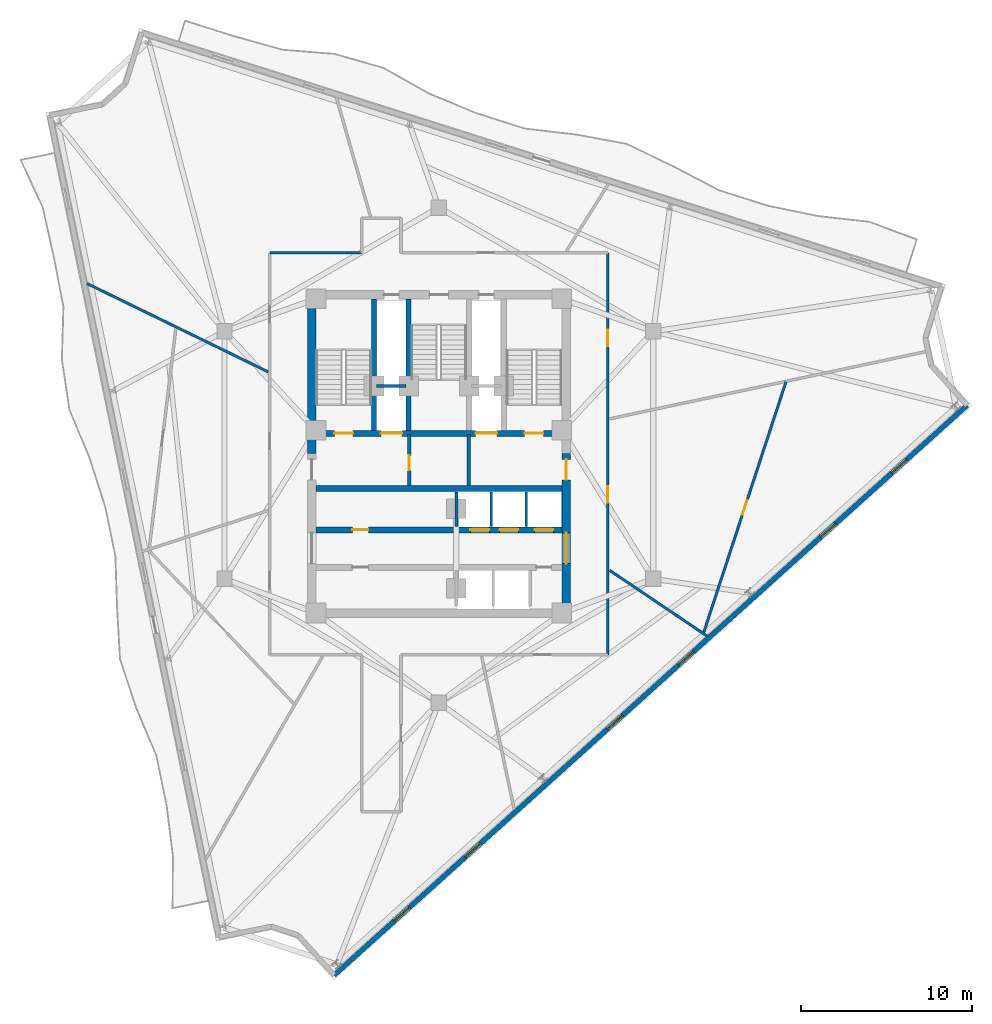
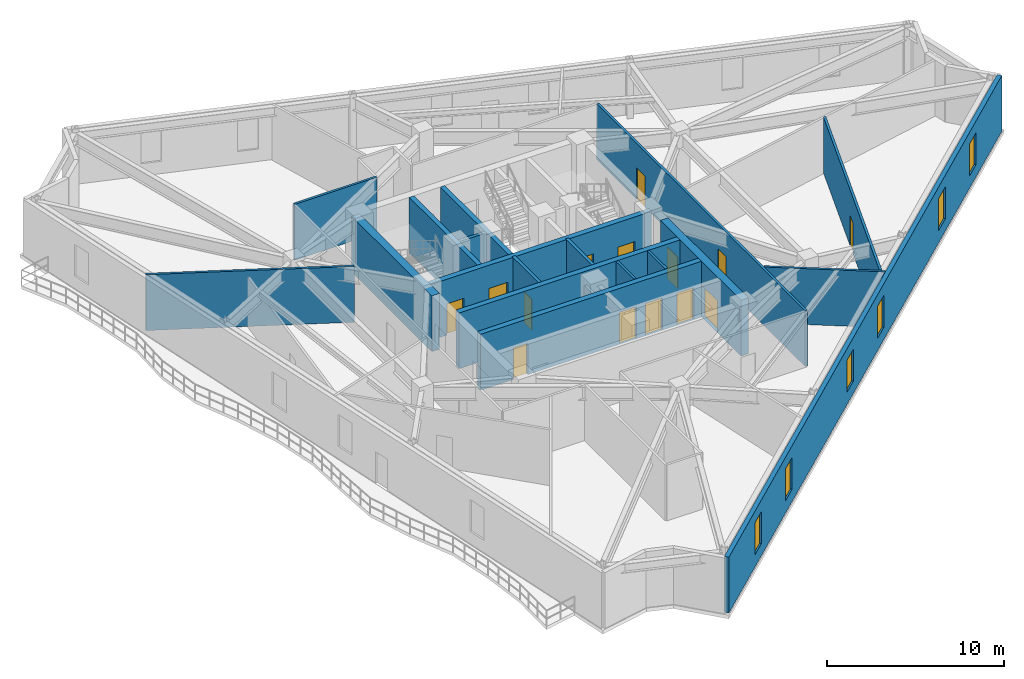
# One storey, part 6 of 11: 19 walls, 14 doors, 6 windows, 20 openings.
"""IFC4 building model written with IfcOpenShell, lengths in metres."""

from ifc_helpers import new_model, si_unit, direction, frame, frame_2d, origin, place, context, subcontext, project, spatial, rectangle, extrude, material, layer, layer_set, type_object, element, fill, save


model = new_model("IFC4")

# Units and contexts
model_context = context("Model", 3, precision=1e-05, world=origin(), true_north=direction((0.0, 1.0)))
body_context = subcontext(model_context, "Body", "Model", "MODEL_VIEW")
ifc_project = project(units=[si_unit("LENGTHUNIT", "METRE"), si_unit("AREAUNIT", "SQUARE_METRE"), si_unit("VOLUMEUNIT", "CUBIC_METRE"), si_unit("PLANEANGLEUNIT", "RADIAN"), si_unit("MASSUNIT", "GRAM", prefix="KILO")], contexts=[model_context])

# Site, building, storey
site_placement = place(None, origin())
site = spatial("IfcSite", under=ifc_project, at=site_placement, CompositionType="ELEMENT")
building_placement = place(site_placement, origin())
building = spatial("IfcBuilding", under=site, at=building_placement, Name="Apsidion Concourse Tower", CompositionType="ELEMENT")
storey_placement = place(building_placement, frame((0.0, 0.0, 252.699951171875)))
storey = spatial("IfcBuildingStorey", under=building, at=storey_placement, Name="L59", CompositionType="ELEMENT", Elevation=252.699951171875)

# Wall, openings, windows
ifc_material_1 = material(Name="Precast concrete C40/50", Category="concrete")
ifc_layer_1 = layer(ifc_material_1, 0.280029296875)
ifc_layer_set_1 = layer_set([ifc_layer_1], Name="Precast concrete C40/50")
wall_type_1 = type_object("IfcWallType", Name="WL-EXT-280", PredefinedType="STANDARD", material=ifc_layer_set_1)
wall_1_placement = place(storey_placement, frame((30.9345703125, 2.915771484375, 0.0), z_axis=(0.0, 0.0, 1.0), x_axis=(-0.743143233829, -0.66913237406, 0.0)))
wall_1 = element("IfcWall", 1, at=wall_1_placement, inside=storey, type_object=wall_type_1, Name="L59 Precast Stone Facade Wall 05", PredefinedType="STANDARD", context=body_context, shape_type="SweptSolid", body=[
    extrude(rectangle(XDim=49.8798828125, YDim=0.280029296875, at=frame_2d((24.93994140625, 0.0))), origin(), (0.0, 0.0, 1.0), 3.85009765625),
])
opening_1_placement = place(wall_1_placement, frame((4.739990234375, 0.0, 0.85009765625)))
opening_1 = element("IfcOpeningElement", 2, at=opening_1_placement, cuts=wall_1, Name="Opening WN-06", PredefinedType="OPENING", context=body_context, shape_type="SweptSolid", body=[
    extrude(rectangle(XDim=1.199951171875, YDim=2.199951171875, at=frame_2d((0.60009765625, 1.10009765625))), frame((0.0, 0.14990234375, 0.0), z_axis=(0.0, -1.0, 0.0), x_axis=(1.0, 0.0, 0.0)), (0.0, 0.0, 1.0), 0.300048828125),
])
opening_2_placement = place(wall_1_placement, frame((10.33984375, 0.0, 0.85009765625)))
opening_2 = element("IfcOpeningElement", 3, at=opening_2_placement, cuts=wall_1, Name="Opening WN-06", PredefinedType="OPENING", context=body_context, shape_type="SweptSolid", body=[
    extrude(rectangle(XDim=1.199951171875, YDim=2.199951171875, at=frame_2d((0.60009765625, 1.10009765625))), frame((0.0, 0.14990234375, 0.0), z_axis=(0.0, -1.0, 0.0), x_axis=(1.0, 0.0, 0.0)), (0.0, 0.0, 1.0), 0.300048828125),
])
opening_3_placement = place(wall_1_placement, frame((21.539794921875, 0.0, 0.85009765625)))
opening_3 = element("IfcOpeningElement", 4, at=opening_3_placement, cuts=wall_1, Name="Opening WN-06", PredefinedType="OPENING", context=body_context, shape_type="SweptSolid", body=[
    extrude(rectangle(XDim=1.199951171875, YDim=2.199951171875, at=frame_2d((0.60009765625, 1.10009765625))), frame((0.0, 0.14990234375, 0.0), z_axis=(0.0, -1.0, 0.0), x_axis=(1.0, 0.0, 0.0)), (0.0, 0.0, 1.0), 0.300048828125),
])
opening_4_placement = place(wall_1_placement, frame((27.139892578125, 0.0, 0.85009765625)))
opening_4 = element("IfcOpeningElement", 5, at=opening_4_placement, cuts=wall_1, Name="Opening WN-06", PredefinedType="OPENING", context=body_context, shape_type="SweptSolid", body=[
    extrude(rectangle(XDim=1.199951171875, YDim=2.199951171875, at=frame_2d((0.60009765625, 1.10009765625))), frame((0.0, 0.14990234375, 0.0), z_axis=(0.0, -1.0, 0.0), x_axis=(1.0, 0.0, 0.0)), (0.0, 0.0, 1.0), 0.300048828125),
])
opening_5_placement = place(wall_1_placement, frame((38.33984375, 0.0, 0.85009765625)))
opening_5 = element("IfcOpeningElement", 6, at=opening_5_placement, cuts=wall_1, Name="Opening WN-06", PredefinedType="OPENING", context=body_context, shape_type="SweptSolid", body=[
    extrude(rectangle(XDim=1.199951171875, YDim=2.199951171875, at=frame_2d((0.60009765625, 1.10009765625))), frame((0.0, 0.14990234375, 0.0), z_axis=(0.0, -1.0, 0.0), x_axis=(1.0, 0.0, 0.0)), (0.0, 0.0, 1.0), 0.300048828125),
])
opening_6_placement = place(wall_1_placement, frame((43.93994140625, 0.0, 0.85009765625)))
opening_6 = element("IfcOpeningElement", 7, at=opening_6_placement, cuts=wall_1, Name="Opening WN-06", PredefinedType="OPENING", context=body_context, shape_type="SweptSolid", body=[
    extrude(rectangle(XDim=1.199951171875, YDim=2.199951171875, at=frame_2d((0.60009765625, 1.10009765625))), frame((0.0, 0.14990234375, 0.0), z_axis=(0.0, -1.0, 0.0), x_axis=(1.0, 0.0, 0.0)), (0.0, 0.0, 1.0), 0.300048828125),
])
ifc_material_2 = material(Name="Insulated laminated low-E glass", Category="glass")
window_type = type_object("IfcWindowType", Name="WN-OFF-1224", PartitioningType="SINGLE_PANEL", PredefinedType="WINDOW", material=ifc_material_2)
window_1_placement = place(opening_1_placement, origin())
window_1 = element("IfcWindow", 8, at=window_1_placement, inside=storey, type_object=window_type, Name="L59 Punched Facade Window 5-01", OverallHeight=2.199951171875, OverallWidth=1.199951171875, PartitioningType="SINGLE_PANEL", PredefinedType="WINDOW", context=body_context, shape_type="SweptSolid", body=[
    extrude(rectangle(XDim=1.199951171875, YDim=2.199951171875, at=frame_2d((0.60009765625, 1.10009765625))), frame((0.0, 0.030029296875, 0.0), z_axis=(0.0, -1.0, 0.0), x_axis=(1.0, 0.0, 0.0)), (0.0, 0.0, 1.0), 0.06005859375),
])
fill(opening_1, window_1)
window_2_placement = place(opening_2_placement, origin())
window_2 = element("IfcWindow", 9, at=window_2_placement, inside=storey, type_object=window_type, Name="L59 Punched Facade Window 5-02", OverallHeight=2.199951171875, OverallWidth=1.199951171875, PartitioningType="SINGLE_PANEL", PredefinedType="WINDOW", context=body_context, shape_type="SweptSolid", body=[
    extrude(rectangle(XDim=1.199951171875, YDim=2.199951171875, at=frame_2d((0.60009765625, 1.10009765625))), frame((0.0, 0.030029296875, 0.0), z_axis=(0.0, -1.0, 0.0), x_axis=(1.0, 0.0, 0.0)), (0.0, 0.0, 1.0), 0.06005859375),
])
fill(opening_2, window_2)
window_3_placement = place(opening_3_placement, origin())
window_3 = element("IfcWindow", 10, at=window_3_placement, inside=storey, type_object=window_type, Name="L59 Punched Facade Window 5-04", OverallHeight=2.199951171875, OverallWidth=1.199951171875, PartitioningType="SINGLE_PANEL", PredefinedType="WINDOW", context=body_context, shape_type="SweptSolid", body=[
    extrude(rectangle(XDim=1.199951171875, YDim=2.199951171875, at=frame_2d((0.60009765625, 1.10009765625))), frame((0.0, 0.030029296875, 0.0), z_axis=(0.0, -1.0, 0.0), x_axis=(1.0, 0.0, 0.0)), (0.0, 0.0, 1.0), 0.06005859375),
])
fill(opening_3, window_3)
window_4_placement = place(opening_4_placement, origin())
window_4 = element("IfcWindow", 11, at=window_4_placement, inside=storey, type_object=window_type, Name="L59 Punched Facade Window 5-05", OverallHeight=2.199951171875, OverallWidth=1.199951171875, PartitioningType="SINGLE_PANEL", PredefinedType="WINDOW", context=body_context, shape_type="SweptSolid", body=[
    extrude(rectangle(XDim=1.199951171875, YDim=2.199951171875, at=frame_2d((0.60009765625, 1.10009765625))), frame((0.0, 0.030029296875, 0.0), z_axis=(0.0, -1.0, 0.0), x_axis=(1.0, 0.0, 0.0)), (0.0, 0.0, 1.0), 0.06005859375),
])
fill(opening_4, window_4)
window_5_placement = place(opening_5_placement, origin())
window_5 = element("IfcWindow", 12, at=window_5_placement, inside=storey, type_object=window_type, Name="L59 Punched Facade Window 5-07", OverallHeight=2.199951171875, OverallWidth=1.199951171875, PartitioningType="SINGLE_PANEL", PredefinedType="WINDOW", context=body_context, shape_type="SweptSolid", body=[
    extrude(rectangle(XDim=1.199951171875, YDim=2.199951171875, at=frame_2d((0.60009765625, 1.10009765625))), frame((0.0, 0.030029296875, 0.0), z_axis=(0.0, -1.0, 0.0), x_axis=(1.0, 0.0, 0.0)), (0.0, 0.0, 1.0), 0.06005859375),
])
fill(opening_5, window_5)
window_6_placement = place(opening_6_placement, origin())
window_6 = element("IfcWindow", 13, at=window_6_placement, inside=storey, type_object=window_type, Name="L59 Punched Facade Window 5-08", OverallHeight=2.199951171875, OverallWidth=1.199951171875, PartitioningType="SINGLE_PANEL", PredefinedType="WINDOW", context=body_context, shape_type="SweptSolid", body=[
    extrude(rectangle(XDim=1.199951171875, YDim=2.199951171875, at=frame_2d((0.60009765625, 1.10009765625))), frame((0.0, 0.030029296875, 0.0), z_axis=(0.0, -1.0, 0.0), x_axis=(1.0, 0.0, 0.0)), (0.0, 0.0, 1.0), 0.06005859375),
])
fill(opening_6, window_6)

# Walls
ifc_material_3 = material(Name="Gypsum plasterboard partition")
ifc_layer_2 = layer(ifc_material_3, 0.14990234375)
ifc_layer_set_2 = layer_set([ifc_layer_2], Name="Gypsum plasterboard partition")
wall_type_2 = type_object("IfcWallType", Name="WL-INT-PAR-150", PredefinedType="PARTITIONING", material=ifc_layer_set_2)
for number, where, z_axis, x_axis, name in (
    (14, (3.074951171875, -4.179931640625, 0.0), (0.0, 0.0, 1.0), (0.0, 1.0, 0.0), "L59 Interior Partition WL-L59-B3DIV-1"),
    (15, (5.125, -4.179931640625, 0.0), (0.0, 0.0, 1.0), (0.0, 1.0, 0.0), "L59 Interior Partition WL-L59-B3DIV-2"),
):
    element("IfcWall", number, at=place(storey_placement, frame(where, z_axis=z_axis, x_axis=x_axis)), inside=storey, type_object=wall_type_2, Name=name, PredefinedType="PARTITIONING", context=body_context, shape_type="SweptSolid", body=[
        extrude(rectangle(XDim=2.030029296875, YDim=0.14990234375, at=frame_2d((1.01513671875, 0.0))), origin(), (0.0, 0.0, 1.0), 3.85009765625),
    ])
wall_2_placement = place(storey_placement, frame((-9.89990234375, 11.85009765625, 0.0), z_axis=(0.0, 0.0, 1.0), x_axis=(1.0, 0.0, 0.0)))
element("IfcWall", 16, at=wall_2_placement, inside=storey, type_object=wall_type_2, Name="L59 Interior Partition WL-L59-CORR-03", PredefinedType="PARTITIONING", context=body_context, shape_type="SweptSolid", body=[
    extrude(rectangle(XDim=5.369873046875, YDim=0.14990234375, at=frame_2d((2.68505859375, 0.0))), origin(), (0.0, 0.0, 1.0), 3.85009765625),
])

# Wall, openings, doors
wall_3_placement = place(storey_placement, frame((9.89990234375, 11.85009765625, 0.0), z_axis=(0.0, 0.0, 1.0), x_axis=(0.0, -1.0, 0.0)))
wall_3 = element("IfcWall", 17, at=wall_3_placement, inside=storey, type_object=wall_type_2, Name="L59 Interior Partition WL-L59-CORR-08", PredefinedType="PARTITIONING", context=body_context, shape_type="SweptSolid", body=[
    extrude(rectangle(XDim=23.550048828125, YDim=0.14990234375, at=frame_2d((11.77490234375, 0.0))), origin(), (0.0, 0.0, 1.0), 3.85009765625),
])
opening_7_placement = place(wall_3_placement, frame((13.685546875, 0.0, 0.0)))
opening_7 = element("IfcOpeningElement", 18, at=opening_7_placement, cuts=wall_3, Name="Opening D-01R", PredefinedType="OPENING", context=body_context, shape_type="SweptSolid", body=[
    extrude(rectangle(XDim=0.949951171875, YDim=2.14990234375, at=frame_2d((0.47509765625, 1.074951171875))), frame((0.0, 0.0849609375, 0.0), z_axis=(0.0, -1.0, 0.0), x_axis=(1.0, 0.0, 0.0)), (0.0, 0.0, 1.0), 0.169921875),
])
opening_8_placement = place(wall_3_placement, frame((4.51513671875, 0.0, 0.0)))
opening_8 = element("IfcOpeningElement", 19, at=opening_8_placement, cuts=wall_3, Name="Opening D-01L", PredefinedType="OPENING", context=body_context, shape_type="SweptSolid", body=[
    extrude(rectangle(XDim=0.949951171875, YDim=2.14990234375, at=frame_2d((0.47509765625, 1.074951171875))), frame((0.0, 0.0849609375, 0.0), z_axis=(0.0, -1.0, 0.0), x_axis=(1.0, 0.0, 0.0)), (0.0, 0.0, 1.0), 0.169921875),
])
ifc_material_4 = material(Name="Brushed stainless steel 316", Category="steel")
door_type_1 = type_object("IfcDoorType", Name="DR-INT-D01L", OperationType="SINGLE_SWING_LEFT", PredefinedType="DOOR", material=ifc_material_4)
door_1_placement = place(opening_8_placement, origin())
door_1 = element("IfcDoor", 20, at=door_1_placement, inside=storey, type_object=door_type_1, Name="L59 Corridor Entry Door 05", OperationType="SINGLE_SWING_LEFT", OverallHeight=2.14990234375, OverallWidth=0.949951171875, PredefinedType="DOOR", context=body_context, shape_type="SweptSolid", body=[
    extrude(rectangle(XDim=0.949951171875, YDim=2.14990234375, at=frame_2d((0.47509765625, 1.074951171875))), frame((0.0, 0.02490234375, 0.0), z_axis=(0.0, -1.0, 0.0), x_axis=(1.0, 0.0, 0.0)), (0.0, 0.0, 1.0), 0.050048828125),
])
fill(opening_8, door_1)
door_type_2 = type_object("IfcDoorType", Name="DR-INT-D01R", OperationType="SINGLE_SWING_RIGHT", PredefinedType="DOOR", material=ifc_material_4)
door_2_placement = place(opening_7_placement, origin())
door_2 = element("IfcDoor", 21, at=door_2_placement, inside=storey, type_object=door_type_2, Name="L59 Corridor Entry Door 04", OperationType="SINGLE_SWING_RIGHT", OverallHeight=2.14990234375, OverallWidth=0.949951171875, PredefinedType="DOOR", context=body_context, shape_type="SweptSolid", body=[
    extrude(rectangle(XDim=0.949951171875, YDim=2.14990234375, at=frame_2d((0.47509765625, 1.074951171875))), frame((0.0, 0.02490234375, 0.0), z_axis=(0.0, -1.0, 0.0), x_axis=(1.0, 0.0, 0.0)), (0.0, 0.0, 1.0), 0.050048828125),
])
fill(opening_7, door_2)

# Walls
wall_4_placement = place(storey_placement, frame((-10.0048828125, 4.8798828125, 0.0), z_axis=(0.0, 0.0, 1.0), x_axis=(-0.898803444185, 0.438351877743, 0.0)))
element("IfcWall", 22, at=wall_4_placement, inside=storey, type_object=wall_type_2, Name="L59 Interior Partition WL-L59-RAD-04-1", PredefinedType="PARTITIONING", context=body_context, shape_type="SweptSolid", body=[
    extrude(rectangle(XDim=11.79833984375, YDim=0.14990234375, at=frame_2d((5.899169921875, 0.0))), origin(), (0.0, 0.0, 1.0), 3.85009765625),
])
wall_5_placement = place(storey_placement, frame((10.0048828125, -6.74853515625, 0.0), z_axis=(0.0, 0.0, 1.0), x_axis=(0.829031910719, -0.559201297396, 0.0)))
element("IfcWall", 23, at=wall_5_placement, inside=storey, type_object=wall_type_2, Name="L59 Interior Partition WL-L59-RAD-08-1", PredefinedType="PARTITIONING", context=body_context, shape_type="SweptSolid", body=[
    extrude(rectangle(XDim=6.871826171875, YDim=0.14990234375, at=frame_2d((3.43603515625, 0.0))), origin(), (0.0, 0.0, 1.0), 3.85009765625),
])

# Wall, opening, door
wall_6_placement = place(storey_placement, frame((15.5, -10.4248046875, 0.0), z_axis=(0.0, 0.0, 1.0), x_axis=(0.311766194324, 0.950158849918, 0.0)))
wall_6 = element("IfcWall", 24, at=wall_6_placement, inside=storey, type_object=wall_type_2, Name="L59 Interior Partition WL-L59-CHD-OFS03", PredefinedType="PARTITIONING", context=body_context, shape_type="SweptSolid", body=[
    extrude(rectangle(XDim=15.49267578125, YDim=0.14990234375, at=frame_2d((7.746337890625, 0.0))), origin(), (0.0, 0.0, 1.0), 3.85009765625),
])
opening_9_placement = place(wall_6_placement, frame((7.29638671875, 0.0, 0.0)))
opening_9 = element("IfcOpeningElement", 25, at=opening_9_placement, cuts=wall_6, Name="Opening D-02R", PredefinedType="OPENING", context=body_context, shape_type="SweptSolid", body=[
    extrude(rectangle(XDim=0.89990234375, YDim=2.10009765625, at=frame_2d((0.449951171875, 1.050048828125))), frame((0.0, 0.0849609375, 0.0), z_axis=(0.0, -1.0, 0.0), x_axis=(1.0, 0.0, 0.0)), (0.0, 0.0, 1.0), 0.169921875),
])
ifc_material_5 = material(Name="Anodised aluminium EN AW-6063 T6", Category="aluminium")
door_type_3 = type_object("IfcDoorType", Name="DR-INT-D02R", OperationType="SINGLE_SWING_RIGHT", PredefinedType="DOOR", material=ifc_material_5)
door_3_placement = place(opening_9_placement, origin())
door_3 = element("IfcDoor", 26, at=door_3_placement, inside=storey, type_object=door_type_3, Name="L59 Suite Connecting Door OFS03", OperationType="SINGLE_SWING_RIGHT", OverallHeight=2.10009765625, OverallWidth=0.89990234375, PredefinedType="DOOR", context=body_context, shape_type="SweptSolid", body=[
    extrude(rectangle(XDim=0.89990234375, YDim=2.10009765625, at=frame_2d((0.449951171875, 1.050048828125))), frame((0.0, 0.02490234375, 0.0), z_axis=(0.0, -1.0, 0.0), x_axis=(1.0, 0.0, 0.0)), (0.0, 0.0, 1.0), 0.050048828125),
])
fill(opening_9, door_3)

# Walls
ifc_layer_3 = layer(ifc_material_3, 0.179931640625)
ifc_layer_set_3 = layer_set([ifc_layer_3], Name="Gypsum plasterboard partition")
wall_type_3 = type_object("IfcWallType", Name="WL-INT-PAR-180", PredefinedType="PARTITIONING", material=ifc_layer_set_3)
wall_7_placement = place(storey_placement, frame((1.02490234375, -4.179931640625, 0.0), z_axis=(0.0, 0.0, 1.0), x_axis=(0.0, 1.0, 0.0)))
element("IfcWall", 27, at=wall_7_placement, inside=storey, type_object=wall_type_3, Name="L59 Interior Partition WL-L59-B1END", PredefinedType="PARTITIONING", context=body_context, shape_type="SweptSolid", body=[
    extrude(rectangle(XDim=2.030029296875, YDim=0.179931640625, at=frame_2d((1.01513671875, 0.0))), origin(), (0.0, 0.0, 1.0), 2.89794921875),
])
ifc_layer_4 = layer(ifc_material_3, 0.199951171875)
ifc_layer_set_4 = layer_set([ifc_layer_4], Name="Gypsum plasterboard partition")
wall_type_4 = type_object("IfcWallType", Name="WL-INT-PAR-200", PredefinedType="PARTITIONING", material=ifc_layer_set_4)
wall_8_placement = place(storey_placement, frame((-3.64990234375, 4.050048828125, 0.0), z_axis=(0.0, 0.0, 1.0), x_axis=(1.0, 0.0, 0.0)))
element("IfcWall", 28, at=wall_8_placement, inside=storey, type_object=wall_type_4, Name="L59 Interior Partition WL-L59-FF1-N", PredefinedType="PARTITIONING", context=body_context, shape_type="SweptSolid", body=[
    extrude(rectangle(XDim=1.72998046875, YDim=0.199951171875, at=frame_2d((0.864990234375, 0.0))), origin(), (0.0, 0.0, 1.0), 3.85009765625),
])

# Wall, opening, door
wall_9_placement = place(storey_placement, frame((-1.739990234375, -1.780029296875, 0.0), z_axis=(0.0, 0.0, 1.0), x_axis=(0.0, 1.0, 0.0)))
wall_9 = element("IfcWall", 29, at=wall_9_placement, inside=storey, type_object=wall_type_4, Name="L59 Interior Partition WL-L59-FF1-E", PredefinedType="PARTITIONING", context=body_context, shape_type="SweptSolid", body=[
    extrude(rectangle(XDim=2.97998046875, YDim=0.199951171875, at=frame_2d((1.489990234375, 0.0))), origin(), (0.0, 0.0, 1.0), 3.85009765625),
])
opening_10_placement = place(wall_9_placement, frame((0.889892578125, 0.0, 0.0)))
opening_10 = element("IfcOpeningElement", 30, at=opening_10_placement, cuts=wall_9, Name="Opening D-05R", PredefinedType="OPENING", context=body_context, shape_type="SweptSolid", body=[
    extrude(rectangle(XDim=0.8798828125, YDim=2.14990234375, at=frame_2d((0.43994140625, 1.074951171875))), frame((0.0, 0.10986328125, 0.0), z_axis=(0.0, -1.0, 0.0), x_axis=(1.0, 0.0, 0.0)), (0.0, 0.0, 1.0), 0.219970703125),
])
door_type_4 = type_object("IfcDoorType", Name="DR-INT-D05R", OperationType="SINGLE_SWING_RIGHT", PredefinedType="DOOR", material=ifc_material_4)
door_4_placement = place(opening_10_placement, origin())
door_4 = element("IfcDoor", 31, at=door_4_placement, inside=storey, type_object=door_type_4, Name="L59 Core BMS Door", OperationType="SINGLE_SWING_RIGHT", OverallHeight=2.14990234375, OverallWidth=0.8798828125, PredefinedType="DOOR", context=body_context, shape_type="SweptSolid", body=[
    extrude(rectangle(XDim=0.8798828125, YDim=2.14990234375, at=frame_2d((0.43994140625, 1.074951171875))), frame((0.0, 0.02490234375, 0.0), z_axis=(0.0, -1.0, 0.0), x_axis=(1.0, 0.0, 0.0)), (0.0, 0.0, 1.0), 0.050048828125),
])
fill(opening_10, door_4)

# Walls
wall_10_placement = place(storey_placement, frame((1.739990234375, -1.780029296875, 0.0), z_axis=(0.0, 0.0, 1.0), x_axis=(0.0, 1.0, 0.0)))
element("IfcWall", 32, at=wall_10_placement, inside=storey, type_object=wall_type_4, Name="L59 Interior Partition WL-L59-FF2-W", PredefinedType="PARTITIONING", context=body_context, shape_type="SweptSolid", body=[
    extrude(rectangle(XDim=2.97998046875, YDim=0.199951171875, at=frame_2d((1.489990234375, 0.0))), origin(), (0.0, 0.0, 1.0), 3.85009765625),
])
ifc_material_6 = material(Name="Concrete C50/60", Category="concrete")
ifc_layer_5 = layer(ifc_material_6, 0.300048828125)
ifc_layer_set_5 = layer_set([ifc_layer_5], Name="Concrete C50/60")
wall_type_5 = type_object("IfcWallType", Name="WL-SH-300", PredefinedType="SHEAR", material=ifc_layer_set_5)
for number, where, z_axis, x_axis, name in (
    (33, (-3.800048828125, 1.449951171875, 0.0), (0.0, 0.0, 1.0), (0.0, 1.0, 0.0), "L59 Central Core Shear Wall V1"),
    (34, (-1.77490234375, 1.449951171875, 0.0), (0.0, 0.0, 1.0), (0.0, 1.0, 0.0), "L59 Central Core Shear Wall V2"),
):
    element("IfcWall", number, at=place(storey_placement, frame(where, z_axis=z_axis, x_axis=x_axis)), inside=storey, type_object=wall_type_5, Name=name, PredefinedType="SHEAR", context=body_context, shape_type="SweptSolid", body=[
        extrude(rectangle(XDim=7.699951171875, YDim=0.300048828125, at=frame_2d((3.85009765625, 0.0))), origin(), (0.0, 0.0, 1.0), 3.85009765625),
    ])

# Wall, openings, doors
ifc_layer_6 = layer(ifc_material_6, 0.35009765625)
ifc_layer_set_6 = layer_set([ifc_layer_6], Name="Concrete C50/60")
wall_type_6 = type_object("IfcWallType", Name="WL-SH-350", PredefinedType="SHEAR", material=ifc_layer_set_6)
wall_11_placement = place(storey_placement, frame((-7.199951171875, 1.27490234375, 0.0), z_axis=(0.0, 0.0, 1.0), x_axis=(1.0, 0.0, 0.0)))
wall_11 = element("IfcWall", 35, at=wall_11_placement, inside=storey, type_object=wall_type_6, Name="L59 Central Core Shear Wall M1", PredefinedType="SHEAR", context=body_context, shape_type="SweptSolid", body=[
    extrude(rectangle(XDim=14.39990234375, YDim=0.35009765625, at=frame_2d((7.199951171875, 0.0))), origin(), (0.0, 0.0, 1.0), 3.85009765625),
])
opening_11_placement = place(wall_11_placement, frame((3.794921875, 0.0, 0.0)))
opening_11 = element("IfcOpeningElement", 36, at=opening_11_placement, cuts=wall_11, Name="Opening LD-FF", PredefinedType="OPENING", context=body_context, shape_type="SweptSolid", body=[
    extrude(rectangle(XDim=1.25, YDim=2.25, at=frame_2d((0.625, 1.125))), frame((0.0, 0.18505859375, 0.0), z_axis=(0.0, -1.0, 0.0), x_axis=(1.0, 0.0, 0.0)), (0.0, 0.0, 1.0), 0.3701171875),
])
opening_12_placement = place(wall_11_placement, frame((9.35498046875, 0.0, 0.0)))
opening_12 = element("IfcOpeningElement", 37, at=opening_12_placement, cuts=wall_11, Name="Opening LD-FF", PredefinedType="OPENING", context=body_context, shape_type="SweptSolid", body=[
    extrude(rectangle(XDim=1.25, YDim=2.25, at=frame_2d((0.625, 1.125))), frame((0.0, 0.18505859375, 0.0), z_axis=(0.0, -1.0, 0.0), x_axis=(1.0, 0.0, 0.0)), (0.0, 0.0, 1.0), 0.3701171875),
])
opening_13_placement = place(wall_11_placement, frame((1.074951171875, 0.0, 0.0)))
opening_13 = element("IfcOpeningElement", 38, at=opening_13_placement, cuts=wall_11, Name="Opening D-STL", PredefinedType="OPENING", context=body_context, shape_type="SweptSolid", body=[
    extrude(rectangle(XDim=1.10009765625, YDim=2.14990234375, at=frame_2d((0.550048828125, 1.074951171875))), frame((0.0, 0.18505859375, 0.0), z_axis=(0.0, -1.0, 0.0), x_axis=(1.0, 0.0, 0.0)), (0.0, 0.0, 1.0), 0.3701171875),
])
opening_14_placement = place(wall_11_placement, frame((12.22509765625, 0.0, 0.0)))
opening_14 = element("IfcOpeningElement", 39, at=opening_14_placement, cuts=wall_11, Name="Opening D-STR", PredefinedType="OPENING", context=body_context, shape_type="SweptSolid", body=[
    extrude(rectangle(XDim=1.10009765625, YDim=2.14990234375, at=frame_2d((0.550048828125, 1.074951171875))), frame((0.0, 0.18505859375, 0.0), z_axis=(0.0, -1.0, 0.0), x_axis=(1.0, 0.0, 0.0)), (0.0, 0.0, 1.0), 0.3701171875),
])
door_type_5 = type_object("IfcDoorType", Name="DR-INT-ST1L", OperationType="SINGLE_SWING_LEFT", PredefinedType="DOOR", material=ifc_material_4)
door_5_placement = place(opening_13_placement, origin())
door_5 = element("IfcDoor", 40, at=door_5_placement, inside=storey, type_object=door_type_5, Name="L59 Core Exit Stair ST1 Door", OperationType="SINGLE_SWING_LEFT", OverallHeight=2.14990234375, OverallWidth=1.10009765625, PredefinedType="DOOR", context=body_context, shape_type="SweptSolid", body=[
    extrude(rectangle(XDim=1.10009765625, YDim=2.14990234375, at=frame_2d((0.550048828125, 1.074951171875))), frame((0.0, 0.02490234375, 0.0), z_axis=(0.0, -1.0, 0.0), x_axis=(1.0, 0.0, 0.0)), (0.0, 0.0, 1.0), 0.050048828125),
])
fill(opening_13, door_5)
door_type_6 = type_object("IfcDoorType", Name="DR-INT-ST1R", OperationType="SINGLE_SWING_RIGHT", PredefinedType="DOOR", material=ifc_material_4)
door_6_placement = place(opening_14_placement, origin())
door_6 = element("IfcDoor", 41, at=door_6_placement, inside=storey, type_object=door_type_6, Name="L59 Core Exit Stair ST2 Door", OperationType="SINGLE_SWING_RIGHT", OverallHeight=2.14990234375, OverallWidth=1.10009765625, PredefinedType="DOOR", context=body_context, shape_type="SweptSolid", body=[
    extrude(rectangle(XDim=1.10009765625, YDim=2.14990234375, at=frame_2d((0.550048828125, 1.074951171875))), frame((0.0, 0.02490234375, 0.0), z_axis=(0.0, -1.0, 0.0), x_axis=(1.0, 0.0, 0.0)), (0.0, 0.0, 1.0), 0.050048828125),
])
fill(opening_14, door_6)
door_type_7 = type_object("IfcDoorType", Name="DR-LD-FSAE", OperationType="DOUBLE_DOOR_SLIDING", PredefinedType="DOOR", material=ifc_material_4)
door_7_placement = place(opening_11_placement, origin())
door_7 = element("IfcDoor", 42, at=door_7_placement, inside=storey, type_object=door_type_7, Name="L59 Lift Landing Door FF1", OperationType="DOUBLE_DOOR_SLIDING", OverallHeight=2.25, OverallWidth=1.25, PredefinedType="DOOR", context=body_context, shape_type="SweptSolid", body=[
    extrude(rectangle(XDim=1.25, YDim=2.25, at=frame_2d((0.625, 1.125))), frame((0.0, 0.02490234375, 0.0), z_axis=(0.0, -1.0, 0.0), x_axis=(1.0, 0.0, 0.0)), (0.0, 0.0, 1.0), 0.050048828125),
])
fill(opening_11, door_7)
door_8_placement = place(opening_12_placement, origin())
door_8 = element("IfcDoor", 43, at=door_8_placement, inside=storey, type_object=door_type_7, Name="L59 Lift Landing Door FF2", OperationType="DOUBLE_DOOR_SLIDING", OverallHeight=2.25, OverallWidth=1.25, PredefinedType="DOOR", context=body_context, shape_type="SweptSolid", body=[
    extrude(rectangle(XDim=1.25, YDim=2.25, at=frame_2d((0.625, 1.125))), frame((0.0, 0.02490234375, 0.0), z_axis=(0.0, -1.0, 0.0), x_axis=(1.0, 0.0, 0.0)), (0.0, 0.0, 1.0), 0.050048828125),
])
fill(opening_12, door_8)

# Wall
wall_12_placement = place(storey_placement, frame((-7.199951171875, -1.949951171875, 0.0), z_axis=(0.0, 0.0, 1.0), x_axis=(1.0, 0.0, 0.0)))
element("IfcWall", 44, at=wall_12_placement, inside=storey, type_object=wall_type_6, Name="L59 Central Core Shear Wall M2", PredefinedType="SHEAR", context=body_context, shape_type="SweptSolid", body=[
    extrude(rectangle(XDim=14.39990234375, YDim=0.35009765625, at=frame_2d((7.199951171875, 0.0))), origin(), (0.0, 0.0, 1.0), 3.85009765625),
])

# Wall, openings, doors
wall_13_placement = place(storey_placement, frame((-7.199951171875, -4.3798828125, 0.0), z_axis=(0.0, 0.0, 1.0), x_axis=(1.0, 0.0, 0.0)))
wall_13 = element("IfcWall", 45, at=wall_13_placement, inside=storey, type_object=wall_type_6, Name="L59 Central Core Shear Wall LA", PredefinedType="SHEAR", context=body_context, shape_type="SweptSolid", body=[
    extrude(rectangle(XDim=14.39990234375, YDim=0.35009765625, at=frame_2d((7.199951171875, 0.0))), origin(), (0.0, 0.0, 1.0), 3.85009765625),
])
opening_15_placement = place(wall_13_placement, frame((9.050048828125, 0.0, 0.0)))
opening_15 = element("IfcOpeningElement", 46, at=opening_15_placement, cuts=wall_13, Name="Opening LD-P1", PredefinedType="OPENING", context=body_context, shape_type="SweptSolid", body=[
    extrude(rectangle(XDim=1.10009765625, YDim=2.199951171875, at=frame_2d((0.550048828125, 1.10009765625))), frame((0.0, 0.18505859375, 0.0), z_axis=(0.0, -1.0, 0.0), x_axis=(1.0, 0.0, 0.0)), (0.0, 0.0, 1.0), 0.3701171875),
])
opening_16_placement = place(wall_13_placement, frame((10.75, 0.0, 0.0)))
opening_16 = element("IfcOpeningElement", 47, at=opening_16_placement, cuts=wall_13, Name="Opening LD-P1", PredefinedType="OPENING", context=body_context, shape_type="SweptSolid", body=[
    extrude(rectangle(XDim=1.10009765625, YDim=2.199951171875, at=frame_2d((0.550048828125, 1.10009765625))), frame((0.0, 0.18505859375, 0.0), z_axis=(0.0, -1.0, 0.0), x_axis=(1.0, 0.0, 0.0)), (0.0, 0.0, 1.0), 0.3701171875),
])
opening_17_placement = place(wall_13_placement, frame((12.800048828125, 0.0, 0.0)))
opening_17 = element("IfcOpeningElement", 48, at=opening_17_placement, cuts=wall_13, Name="Opening LD-P1", PredefinedType="OPENING", context=body_context, shape_type="SweptSolid", body=[
    extrude(rectangle(XDim=1.10009765625, YDim=2.199951171875, at=frame_2d((0.550048828125, 1.10009765625))), frame((0.0, 0.18505859375, 0.0), z_axis=(0.0, -1.0, 0.0), x_axis=(1.0, 0.0, 0.0)), (0.0, 0.0, 1.0), 0.3701171875),
])
opening_18_placement = place(wall_13_placement, frame((2.125, 0.0, 0.0)))
opening_18 = element("IfcOpeningElement", 49, at=opening_18_placement, cuts=wall_13, Name="Opening D-04L", PredefinedType="OPENING", context=body_context, shape_type="SweptSolid", body=[
    extrude(rectangle(XDim=0.949951171875, YDim=2.14990234375, at=frame_2d((0.47509765625, 1.074951171875))), frame((0.0, 0.18505859375, 0.0), z_axis=(0.0, -1.0, 0.0), x_axis=(1.0, 0.0, 0.0)), (0.0, 0.0, 1.0), 0.3701171875),
])
door_type_8 = type_object("IfcDoorType", Name="DR-INT-D04L", OperationType="SINGLE_SWING_LEFT", PredefinedType="DOOR", material=ifc_material_4)
door_9_placement = place(opening_18_placement, origin())
door_9 = element("IfcDoor", 50, at=door_9_placement, inside=storey, type_object=door_type_8, Name="L59 Tenant Archive and Print Room Door", OperationType="SINGLE_SWING_LEFT", OverallHeight=2.14990234375, OverallWidth=0.949951171875, PredefinedType="DOOR", context=body_context, shape_type="SweptSolid", body=[
    extrude(rectangle(XDim=0.949951171875, YDim=2.14990234375, at=frame_2d((0.47509765625, 1.074951171875))), frame((0.0, 0.02490234375, 0.0), z_axis=(0.0, -1.0, 0.0), x_axis=(1.0, 0.0, 0.0)), (0.0, 0.0, 1.0), 0.050048828125),
])
fill(opening_18, door_9)
door_type_9 = type_object("IfcDoorType", Name="DR-LD-PASS", OperationType="DOUBLE_DOOR_SLIDING", PredefinedType="DOOR", material=ifc_material_4)
door_10_placement = place(opening_15_placement, origin())
door_10 = element("IfcDoor", 51, at=door_10_placement, inside=storey, type_object=door_type_9, Name="L59 Lift Landing Door P9", OperationType="DOUBLE_DOOR_SLIDING", OverallHeight=2.199951171875, OverallWidth=1.10009765625, PredefinedType="DOOR", context=body_context, shape_type="SweptSolid", body=[
    extrude(rectangle(XDim=1.10009765625, YDim=2.199951171875, at=frame_2d((0.550048828125, 1.10009765625))), frame((0.0, 0.02490234375, 0.0), z_axis=(0.0, -1.0, 0.0), x_axis=(1.0, 0.0, 0.0)), (0.0, 0.0, 1.0), 0.050048828125),
])
fill(opening_15, door_10)
door_11_placement = place(opening_16_placement, origin())
door_11 = element("IfcDoor", 52, at=door_11_placement, inside=storey, type_object=door_type_9, Name="L59 Lift Landing Door P10", OperationType="DOUBLE_DOOR_SLIDING", OverallHeight=2.199951171875, OverallWidth=1.10009765625, PredefinedType="DOOR", context=body_context, shape_type="SweptSolid", body=[
    extrude(rectangle(XDim=1.10009765625, YDim=2.199951171875, at=frame_2d((0.550048828125, 1.10009765625))), frame((0.0, 0.02490234375, 0.0), z_axis=(0.0, -1.0, 0.0), x_axis=(1.0, 0.0, 0.0)), (0.0, 0.0, 1.0), 0.050048828125),
])
fill(opening_16, door_11)
door_12_placement = place(opening_17_placement, origin())
door_12 = element("IfcDoor", 53, at=door_12_placement, inside=storey, type_object=door_type_9, Name="L59 Lift Landing Door P11", OperationType="DOUBLE_DOOR_SLIDING", OverallHeight=2.199951171875, OverallWidth=1.10009765625, PredefinedType="DOOR", context=body_context, shape_type="SweptSolid", body=[
    extrude(rectangle(XDim=1.10009765625, YDim=2.199951171875, at=frame_2d((0.550048828125, 1.10009765625))), frame((0.0, 0.02490234375, 0.0), z_axis=(0.0, -1.0, 0.0), x_axis=(1.0, 0.0, 0.0)), (0.0, 0.0, 1.0), 0.050048828125),
])
fill(opening_17, door_12)

# Wall
ifc_layer_7 = layer(ifc_material_6, 0.5)
ifc_layer_set_7 = layer_set([ifc_layer_7], Name="Concrete C50/60")
wall_type_7 = type_object("IfcWallType", Name="WL-SH-500", PredefinedType="SHEAR", material=ifc_layer_set_7)
wall_14_placement = place(storey_placement, frame((-7.449951171875, 0.10009765625, 0.0), z_axis=(0.0, 0.0, 1.0), x_axis=(0.0, 1.0, 0.0)))
element("IfcWall", 54, at=wall_14_placement, inside=storey, type_object=wall_type_7, Name="L59 Central Core Shear Wall WN", PredefinedType="SHEAR", context=body_context, shape_type="SweptSolid", body=[
    extrude(rectangle(XDim=9.0498046875, YDim=0.5, at=frame_2d((4.52490234375, 0.0))), origin(), (0.0, 0.0, 1.0), 3.85009765625),
])

# Wall, openings, doors
wall_15_placement = place(storey_placement, frame((7.449951171875, -9.0, 0.0), z_axis=(0.0, 0.0, 1.0), x_axis=(0.0, 1.0, 0.0)))
wall_15 = element("IfcWall", 55, at=wall_15_placement, inside=storey, type_object=wall_type_7, Name="L59 Central Core Shear Wall ES", PredefinedType="SHEAR", context=body_context, shape_type="SweptSolid", body=[
    extrude(rectangle(XDim=9.10009765625, YDim=0.5, at=frame_2d((4.550048828125, 0.0))), origin(), (0.0, 0.0, 1.0), 3.85009765625),
])
opening_19_placement = place(wall_15_placement, frame((2.639892578125, 0.0, 0.0)))
opening_19 = element("IfcOpeningElement", 56, at=opening_19_placement, cuts=wall_15, Name="Opening D-06D", PredefinedType="OPENING", context=body_context, shape_type="SweptSolid", body=[
    extrude(rectangle(XDim=1.800048828125, YDim=2.199951171875, at=frame_2d((0.89990234375, 1.10009765625))), frame((0.0, 0.260009765625, 0.0), z_axis=(0.0, -1.0, 0.0), x_axis=(1.0, 0.0, 0.0)), (0.0, 0.0, 1.0), 0.52001953125),
])
opening_20_placement = place(wall_15_placement, frame((7.550048828125, 0.0, 0.0)))
opening_20 = element("IfcOpeningElement", 57, at=opening_20_placement, cuts=wall_15, Name="Opening D-FFR", PredefinedType="OPENING", context=body_context, shape_type="SweptSolid", body=[
    extrude(rectangle(XDim=1.199951171875, YDim=2.14990234375, at=frame_2d((0.60009765625, 1.074951171875))), frame((0.0, 0.260009765625, 0.0), z_axis=(0.0, -1.0, 0.0), x_axis=(1.0, 0.0, 0.0)), (0.0, 0.0, 1.0), 0.52001953125),
])
door_type_10 = type_object("IfcDoorType", Name="DR-INT-D06D", OperationType="DOUBLE_DOOR_SINGLE_SWING", PredefinedType="DOOR", material=ifc_material_4)
door_13_placement = place(opening_19_placement, origin())
door_13 = element("IfcDoor", 58, at=door_13_placement, inside=storey, type_object=door_type_10, Name="L59 Passenger Lift Lobby ES Portal Door", OperationType="DOUBLE_DOOR_SINGLE_SWING", OverallHeight=2.199951171875, OverallWidth=1.800048828125, PredefinedType="DOOR", context=body_context, shape_type="SweptSolid", body=[
    extrude(rectangle(XDim=1.800048828125, YDim=2.199951171875, at=frame_2d((0.89990234375, 1.10009765625))), frame((0.0, 0.02490234375, 0.0), z_axis=(0.0, -1.0, 0.0), x_axis=(1.0, 0.0, 0.0)), (0.0, 0.0, 1.0), 0.050048828125),
])
fill(opening_19, door_13)
door_type_11 = type_object("IfcDoorType", Name="DR-INT-FFR", OperationType="SINGLE_SWING_RIGHT", PredefinedType="DOOR", material=ifc_material_4)
door_14_placement = place(opening_20_placement, origin())
door_14 = element("IfcDoor", 59, at=door_14_placement, inside=storey, type_object=door_type_11, Name="L59 Firefighting Lift Lobby FF2 Door", OperationType="SINGLE_SWING_RIGHT", OverallHeight=2.14990234375, OverallWidth=1.199951171875, PredefinedType="DOOR", context=body_context, shape_type="SweptSolid", body=[
    extrude(rectangle(XDim=1.199951171875, YDim=2.14990234375, at=frame_2d((0.60009765625, 1.074951171875))), frame((0.0, 0.02490234375, 0.0), z_axis=(0.0, -1.0, 0.0), x_axis=(1.0, 0.0, 0.0)), (0.0, 0.0, 1.0), 0.050048828125),
])
fill(opening_20, door_14)

save(model, "model.ifc")
